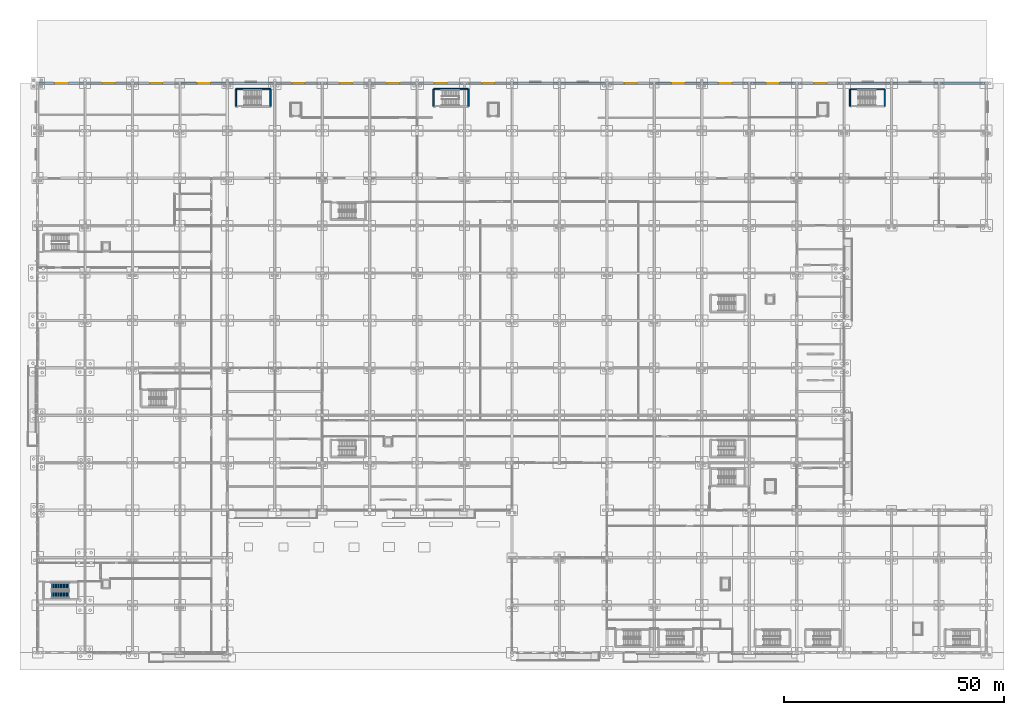
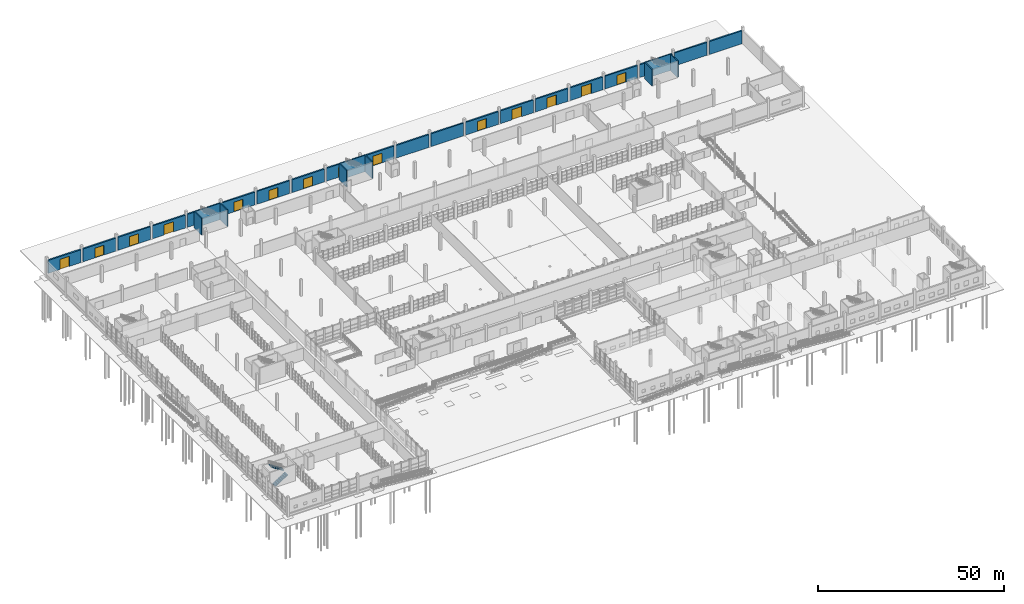
# One storey, part 116 of 138: 29 walls, 14 doors, 2 stair flights, 14 openings, 1 element without a shape of its own.
"""IFC4 building model written with IfcOpenShell, lengths in metres."""

import ifcopenshell
import ifcopenshell.guid

model = None  # the IFC model being written
_history = None  # IfcOwnerHistory: only IFC2X3 demands one
_inside = {}  # id of a spatial element -> (the spatial element, [elements in it])
_under = {}  # id of a project, library or spatial element -> (it, [spatial elements below it])
_declared = {}  # id of a project -> (the project, [libraries it declares])
_typed = {}  # id of a type object -> (the type object, [elements of that type])
_made_of = {}  # id of a material, layer set ... -> (it, [elements and type objects made of it])


def new_model(schema):
    """Start an empty IFC model of exactly this schema.

    Asked for "IFC4X3", IfcOpenShell would pick the latest addendum, in which some entities
    have other attributes; the version numbers below select the first issue.
    IFC2X3 requires an IfcOwnerHistory on every rooted entity: one is made here for all.
    """
    global model, _history
    if schema == "IFC4X3":
        model = ifcopenshell.file(schema_version=(4, 3, 0, 0))
    else:
        model = ifcopenshell.file(schema=schema)
    _inside.clear()
    _under.clear()
    _declared.clear()
    _typed.clear()
    _made_of.clear()
    _history = None
    if model.schema == "IFC2X3":
        org = make("IfcOrganization", Name="unknown")
        user = make(
            "IfcPersonAndOrganization",
            ThePerson=make("IfcPerson", FamilyName="unknown"),
            TheOrganization=org,
        )
        app = make(
            "IfcApplication",
            ApplicationDeveloper=org,
            Version="unknown",
            ApplicationFullName="unknown",
            ApplicationIdentifier="unknown",
        )
        _history = make(
            "IfcOwnerHistory",
            OwningUser=user,
            OwningApplication=app,
            ChangeAction="ADDED",
            CreationDate=0,
        )
    return model


def make(cls, **values):
    """One entity of the class cls with the attributes given. An attribute that is None is left unset."""
    return model.create_entity(
        cls, **{name: value for name, value in values.items() if value is not None}
    )


def rooted(cls, **values):
    """An entity with a GlobalId (a new one), such as an element, a storey or a relation."""
    return make(cls, GlobalId=ifcopenshell.guid.new(), OwnerHistory=_history, **values)


def si_unit(unit_type, name, prefix=None):
    """IfcSIUnit, for example si_unit("LENGTHUNIT", "METRE", prefix="MILLI")."""
    return make("IfcSIUnit", UnitType=unit_type, Prefix=prefix, Name=name)


def assignment(units):
    """IfcUnitAssignment: the units of a project."""
    return None if units is None else make("IfcUnitAssignment", Units=units)


def point(xyz):
    """IfcCartesianPoint."""
    return None if xyz is None else make("IfcCartesianPoint", Coordinates=xyz)


def direction(xyz):
    """IfcDirection."""
    return None if xyz is None else make("IfcDirection", DirectionRatios=xyz)


def frame(location, z_axis=None, x_axis=None):
    """IfcAxis2Placement3D, a coordinate frame: its origin and axes. An axis left out is left unset."""
    return make(
        "IfcAxis2Placement3D",
        Location=point(location),
        Axis=direction(z_axis),
        RefDirection=direction(x_axis),
    )


def frame_2d(location, x_axis=None):
    """IfcAxis2Placement2D, a coordinate frame in the plane: its origin and x axis."""
    return make(
        "IfcAxis2Placement2D", Location=point(location), RefDirection=direction(x_axis)
    )


def origin():
    """The frame at (0, 0, 0) with its axes left unset."""
    return frame((0.0, 0.0, 0.0))


def place(relative_to, where):
    """IfcLocalPlacement: puts the frame where relative to a parent placement (None: the world)."""
    return make(
        "IfcLocalPlacement", PlacementRelTo=relative_to, RelativePlacement=where
    )


def context(
    kind, dimensions, precision=None, world=None, true_north=None, identifier=None
):
    """IfcGeometricRepresentationContext, for example the 3D "Model" context."""
    return make(
        "IfcGeometricRepresentationContext",
        ContextIdentifier=identifier,
        ContextType=kind,
        CoordinateSpaceDimension=dimensions,
        Precision=precision,
        WorldCoordinateSystem=world,
        TrueNorth=true_north,
    )


def subcontext(parent, identifier, kind, view, scale=None):
    """IfcGeometricRepresentationSubContext, for example "Body" below "Model"."""
    return make(
        "IfcGeometricRepresentationSubContext",
        ContextIdentifier=identifier,
        ContextType=kind,
        ParentContext=parent,
        TargetScale=scale,
        TargetView=view,
    )


def project(units=None, contexts=None):
    """IfcProject with its units and contexts."""
    return rooted(
        "IfcProject",
        Name="project",
        RepresentationContexts=contexts,
        UnitsInContext=assignment(units),
    )


def spatial(cls, under=None, at=None, **own):
    """A site, building, storey or space (cls), placed at a placement, below another one or the project."""
    s = rooted(cls, ObjectPlacement=at, **own)
    if under is not None:
        _under.setdefault(under.id(), (under, []))[1].append(s)
    return s


def polyline(points):
    """IfcPolyline through the points."""
    return make("IfcPolyline", Points=[point(p) for p in points])


def profile(cls, at=None, kind="AREA", **sizes):
    """A parametric profile (cls). Its sizes go by their IFC names, for example OverallWidth=200.0."""
    return make(cls, ProfileType=kind, Position=at, **sizes)


def rectangle(**sizes):
    """IfcRectangleProfileDef."""
    return profile("IfcRectangleProfileDef", **sizes)


def outline(outer, holes=None, kind="AREA"):
    """IfcArbitraryClosedProfileDef: a profile drawn as a closed curve; with holes, ...WithVoids."""
    if holes is None:
        return make("IfcArbitraryClosedProfileDef", ProfileType=kind, OuterCurve=outer)
    return make(
        "IfcArbitraryProfileDefWithVoids",
        ProfileType=kind,
        OuterCurve=outer,
        InnerCurves=holes,
    )


def extrude(swept, where, along, depth):
    """IfcExtrudedAreaSolid: the profile swept, set in the frame where, extruded along a direction by depth."""
    return make(
        "IfcExtrudedAreaSolid",
        SweptArea=swept,
        Position=where,
        ExtrudedDirection=direction(along),
        Depth=depth,
    )


def shape(context_of_items, identifier, shape_type, items):
    """IfcShapeRepresentation: the items that make up one representation, for example the "Body"."""
    return make(
        "IfcShapeRepresentation",
        ContextOfItems=context_of_items,
        RepresentationIdentifier=identifier,
        RepresentationType=shape_type,
        Items=items,
    )


def material(Name=None, Category=None):
    """IfcMaterial."""
    return make("IfcMaterial", Name=Name, Category=Category)


def layer(
    of_material, thickness, ventilated=None, Name=None, Category=None, Priority=None
):
    """IfcMaterialLayer: one layer of a wall or slab, of a material (None: an air gap)."""
    return make(
        "IfcMaterialLayer",
        Material=of_material,
        LayerThickness=thickness,
        IsVentilated=ventilated,
        Name=Name,
        Category=Category,
        Priority=Priority,
    )


def layer_set(layers, Name=None):
    """IfcMaterialLayerSet."""
    return make("IfcMaterialLayerSet", MaterialLayers=layers, LayerSetName=Name)


def made_of(thing, what):
    """Note that an element or type object is made of a material, layer set ...; save() writes the relation."""
    if what is not None:
        _made_of.setdefault(what.id(), (what, []))[1].append(thing)
    return thing


def type_object(cls, material=None, **own):
    """A type object (cls), such as IfcWallType, which elements share."""
    return made_of(rooted(cls, **own), material)


def element(
    cls,
    number,
    at=None,
    inside=None,
    cuts=None,
    type_object=None,
    material=None,
    context=None,
    identifier="Body",
    shape_type=None,
    held_by="IfcProductDefinitionShape",
    body=None,
    shapes=None,
    **own,
):
    """One element of the class cls, such as IfcWall. Its Tag is "e" and its number.

    at: its placement. inside: the storey or other place that contains it. cuts: it is an
    opening in that element (IfcRelVoidsElement). A single representation is given by context,
    identifier, shape_type and body (its items); several are given by shapes. held_by: the class
    of the entity that holds the representations. save() writes the other relations.
    """
    e = rooted(cls, Tag="e%d" % number, ObjectPlacement=at, **own)
    if body is not None:
        shapes = [shape(context, identifier, shape_type, body)]
    if shapes is not None:
        e.Representation = make(held_by, Representations=shapes)
    if inside is not None:
        _inside.setdefault(inside.id(), (inside, []))[1].append(e)
    if cuts is not None:
        rooted(
            "IfcRelVoidsElement", RelatingBuildingElement=cuts, RelatedOpeningElement=e
        )
    if type_object is not None:
        _typed.setdefault(type_object.id(), (type_object, []))[1].append(e)
    return made_of(e, material)


def fill(opening, filler):
    """IfcRelFillsElement: the door or window that sits in an opening."""
    return rooted(
        "IfcRelFillsElement",
        RelatingOpeningElement=opening,
        RelatedBuildingElement=filler,
    )


def aggregate(whole, parts):
    """IfcRelAggregates: a whole, such as a stair, and the parts it consists of."""
    return rooted("IfcRelAggregates", RelatingObject=whole, RelatedObjects=parts)


def save(model, path):
    """Write the relations noted so far, then the file.

    IfcRelAggregates (storeys below a building ...), IfcRelContainedInSpatialStructure (elements
    in a storey), IfcRelDefinesByType, IfcRelAssociatesMaterial and IfcRelDeclares: one each for
    every whole, place, type object, material and project.
    """
    for whole, parts in _under.values():
        aggregate(whole, parts)
    for where, things in _inside.values():
        rooted(
            "IfcRelContainedInSpatialStructure",
            RelatedElements=things,
            RelatingStructure=where,
        )
    for kind, things in _typed.values():
        rooted("IfcRelDefinesByType", RelatedObjects=things, RelatingType=kind)
    for what, things in _made_of.values():
        rooted("IfcRelAssociatesMaterial", RelatedObjects=things, RelatingMaterial=what)
    for by, libraries in _declared.values():
        rooted("IfcRelDeclares", RelatingContext=by, RelatedDefinitions=libraries)
    model.write(path)


model = new_model("IFC4")

# Units and contexts
model_context = context("Model", 3, precision=1e-05, world=origin(), true_north=direction((0.0, 1.0)))
body_context = subcontext(model_context, "Body", "Model", "MODEL_VIEW")
ifc_project = project(units=[si_unit("LENGTHUNIT", "METRE"), si_unit("AREAUNIT", "SQUARE_METRE"), si_unit("VOLUMEUNIT", "CUBIC_METRE"), si_unit("PLANEANGLEUNIT", "RADIAN"), si_unit("MASSUNIT", "GRAM", prefix="KILO")], contexts=[model_context])

# Site, building, storey
site_placement = place(None, origin())
site = spatial("IfcSite", under=ifc_project, at=site_placement, CompositionType="ELEMENT")
building_placement = place(site_placement, origin())
building = spatial("IfcBuilding", under=site, at=building_placement, Name="Zwinboog Wholesale Market", CompositionType="ELEMENT")
storey_placement = place(building_placement, origin())
storey = spatial("IfcBuildingStorey", under=building, at=storey_placement, Name="L00", CompositionType="ELEMENT", Elevation=0.0)

# Wall, opening, door
ifc_material_1 = material(Name="Precast concrete C45/55", Category="concrete")
ifc_layer_1 = layer(ifc_material_1, 0.455078125)
ifc_layer_set_1 = layer_set([ifc_layer_1], Name="Precast concrete C45/55")
wall_type_1 = type_object("IfcWallType", Name="WT-EW-455", PredefinedType="STANDARD", material=ifc_layer_set_1)
wall_1_placement = place(storey_placement, frame((11.1201171875, 129.60009765625, 0.0), z_axis=(0.0, 0.0, 1.0), x_axis=(1.0, 0.0, 0.0)))
wall_1 = element("IfcWall", 1, at=wall_1_placement, inside=storey, type_object=wall_type_1, Name="EW-05 (WL-EW-L00-016)", PredefinedType="STANDARD", context=body_context, shape_type="SweptSolid", body=[
    extrude(rectangle(XDim=10.159912109375, YDim=0.455078125, at=frame_2d((5.080078125, 0.0))), origin(), (0.0, 0.0, 1.0), 4.25),
])
opening_1_placement = place(wall_1_placement, frame((3.679931640625, 0.0, 0.0)))
opening_1 = element("IfcOpeningElement", 2, at=opening_1_placement, cuts=wall_1, Name="Opening DK-02", PredefinedType="OPENING", context=body_context, shape_type="SweptSolid", body=[
    extrude(rectangle(XDim=2.800048828125, YDim=3.199951171875, at=frame_2d((1.39990234375, 1.60009765625))), frame((0.0, 0.237548828125, 0.0), z_axis=(0.0, -1.0, 0.0), x_axis=(1.0, 0.0, 0.0)), (0.0, 0.0, 1.0), 0.47509765625),
])
ifc_material_2 = material(Name="Insulated powder-coated steel and aluminium door", Category="steel")
door_type_1 = type_object("IfcDoorType", Name="EDT-DK-280", OperationType="ROLLINGUP", PredefinedType="USERDEFINED", material=ifc_material_2)
door_1_placement = place(opening_1_placement, origin())
door_1 = element("IfcDoor", 3, at=door_1_placement, inside=storey, type_object=door_type_1, Name="Loading Dock Door DK-02", ObjectType="SECTIONAL_SHUTTER", OperationType="ROLLINGUP", OverallHeight=3.199951171875, OverallWidth=2.800048828125, PredefinedType="USERDEFINED", context=body_context, shape_type="SweptSolid", body=[
    extrude(rectangle(XDim=2.800048828125, YDim=3.199951171875, at=frame_2d((1.39990234375, 1.60009765625))), frame((0.0, 0.02490234375, 0.0), z_axis=(0.0, -1.0, 0.0), x_axis=(1.0, 0.0, 0.0)), (0.0, 0.0, 1.0), 0.050048828125),
])
fill(opening_1, door_1)

wall_2_placement = place(storey_placement, frame((21.919921875, 129.60009765625, 0.0), z_axis=(0.0, 0.0, 1.0), x_axis=(1.0, 0.0, 0.0)))
wall_2 = element("IfcWall", 4, at=wall_2_placement, inside=storey, type_object=wall_type_1, Name="EW-05 (WL-EW-L00-018)", PredefinedType="STANDARD", context=body_context, shape_type="SweptSolid", body=[
    extrude(rectangle(XDim=10.16015625, YDim=0.455078125, at=frame_2d((5.080078125, 0.0))), origin(), (0.0, 0.0, 1.0), 4.25),
])
opening_2_placement = place(wall_2_placement, frame((3.679931640625, 0.0, 0.0)))
opening_2 = element("IfcOpeningElement", 5, at=opening_2_placement, cuts=wall_2, Name="Opening DK-03", PredefinedType="OPENING", context=body_context, shape_type="SweptSolid", body=[
    extrude(rectangle(XDim=2.800048828125, YDim=3.199951171875, at=frame_2d((1.39990234375, 1.60009765625))), frame((0.0, 0.237548828125, 0.0), z_axis=(0.0, -1.0, 0.0), x_axis=(1.0, 0.0, 0.0)), (0.0, 0.0, 1.0), 0.47509765625),
])
door_2_placement = place(opening_2_placement, origin())
door_2 = element("IfcDoor", 6, at=door_2_placement, inside=storey, type_object=door_type_1, Name="Loading Dock Door DK-03", ObjectType="SECTIONAL_SHUTTER", OperationType="ROLLINGUP", OverallHeight=3.199951171875, OverallWidth=2.800048828125, PredefinedType="USERDEFINED", context=body_context, shape_type="SweptSolid", body=[
    extrude(rectangle(XDim=2.800048828125, YDim=3.199951171875, at=frame_2d((1.39990234375, 1.60009765625))), frame((0.0, 0.02490234375, 0.0), z_axis=(0.0, -1.0, 0.0), x_axis=(1.0, 0.0, 0.0)), (0.0, 0.0, 1.0), 0.050048828125),
])
fill(opening_2, door_2)

wall_3_placement = place(storey_placement, frame((32.719970703125, 129.60009765625, 0.0), z_axis=(0.0, 0.0, 1.0), x_axis=(1.0, 0.0, 0.0)))
wall_3 = element("IfcWall", 7, at=wall_3_placement, inside=storey, type_object=wall_type_1, Name="EW-05 (WL-EW-L00-026)", PredefinedType="STANDARD", context=body_context, shape_type="SweptSolid", body=[
    extrude(rectangle(XDim=10.159912109375, YDim=0.455078125, at=frame_2d((5.080078125, 0.0))), origin(), (0.0, 0.0, 1.0), 4.25),
])
opening_3_placement = place(wall_3_placement, frame((3.60009765625, 0.0, 0.0)))
opening_3 = element("IfcOpeningElement", 8, at=opening_3_placement, cuts=wall_3, Name="Opening DK-04", PredefinedType="OPENING", context=body_context, shape_type="SweptSolid", body=[
    extrude(rectangle(XDim=2.9599609375, YDim=3.35009765625, at=frame_2d((1.47998046875, 1.675048828125))), frame((0.0, 0.237548828125, 0.0), z_axis=(0.0, -1.0, 0.0), x_axis=(1.0, 0.0, 0.0)), (0.0, 0.0, 1.0), 0.47509765625),
])
door_type_2 = type_object("IfcDoorType", Name="EDT-DK-296", OperationType="ROLLINGUP", PredefinedType="USERDEFINED", material=ifc_material_2)
door_3_placement = place(opening_3_placement, origin())
door_3 = element("IfcDoor", 9, at=door_3_placement, inside=storey, type_object=door_type_2, Name="Loading Dock Door DK-04", ObjectType="SECTIONAL_SHUTTER", OperationType="ROLLINGUP", OverallHeight=3.35009765625, OverallWidth=2.9599609375, PredefinedType="USERDEFINED", context=body_context, shape_type="SweptSolid", body=[
    extrude(rectangle(XDim=2.9599609375, YDim=3.35009765625, at=frame_2d((1.47998046875, 1.675048828125))), frame((0.0, 0.02490234375, 0.0), z_axis=(0.0, -1.0, 0.0), x_axis=(1.0, 0.0, 0.0)), (0.0, 0.0, 1.0), 0.050048828125),
])
fill(opening_3, door_3)

# Wall
wall_4_placement = place(storey_placement, frame((43.52001953125, 129.60009765625, 0.0), z_axis=(0.0, 0.0, 1.0), x_axis=(1.0, 0.0, 0.0)))
element("IfcWall", 10, at=wall_4_placement, inside=storey, type_object=wall_type_1, Name="EW-05 (WL-EW-L00-028)", PredefinedType="STANDARD", context=body_context, shape_type="SweptSolid", body=[
    extrude(rectangle(XDim=10.159912109375, YDim=0.455078125, at=frame_2d((5.080078125, 0.0))), origin(), (0.0, 0.0, 1.0), 4.25),
])

# Wall, opening, door
wall_5_placement = place(storey_placement, frame((54.320068359375, 129.60009765625, 0.0), z_axis=(0.0, 0.0, 1.0), x_axis=(1.0, 0.0, 0.0)))
wall_5 = element("IfcWall", 11, at=wall_5_placement, inside=storey, type_object=wall_type_1, Name="EW-05 (WL-EW-L00-030)", PredefinedType="STANDARD", context=body_context, shape_type="SweptSolid", body=[
    extrude(rectangle(XDim=10.159912109375, YDim=0.455078125, at=frame_2d((5.080078125, 0.0))), origin(), (0.0, 0.0, 1.0), 4.25),
])
opening_4_placement = place(wall_5_placement, frame((3.679931640625, 0.0, 0.0)))
opening_4 = element("IfcOpeningElement", 12, at=opening_4_placement, cuts=wall_5, Name="Opening DK-05", PredefinedType="OPENING", context=body_context, shape_type="SweptSolid", body=[
    extrude(rectangle(XDim=2.800048828125, YDim=3.199951171875, at=frame_2d((1.39990234375, 1.60009765625))), frame((0.0, 0.237548828125, 0.0), z_axis=(0.0, -1.0, 0.0), x_axis=(1.0, 0.0, 0.0)), (0.0, 0.0, 1.0), 0.47509765625),
])
door_4_placement = place(opening_4_placement, origin())
door_4 = element("IfcDoor", 13, at=door_4_placement, inside=storey, type_object=door_type_1, Name="Loading Dock Door DK-05", ObjectType="SECTIONAL_SHUTTER", OperationType="ROLLINGUP", OverallHeight=3.199951171875, OverallWidth=2.800048828125, PredefinedType="USERDEFINED", context=body_context, shape_type="SweptSolid", body=[
    extrude(rectangle(XDim=2.800048828125, YDim=3.199951171875, at=frame_2d((1.39990234375, 1.60009765625))), frame((0.0, 0.02490234375, 0.0), z_axis=(0.0, -1.0, 0.0), x_axis=(1.0, 0.0, 0.0)), (0.0, 0.0, 1.0), 0.050048828125),
])
fill(opening_4, door_4)

wall_6_placement = place(storey_placement, frame((65.1201171875, 129.60009765625, 0.0), z_axis=(0.0, 0.0, 1.0), x_axis=(1.0, 0.0, 0.0)))
wall_6 = element("IfcWall", 14, at=wall_6_placement, inside=storey, type_object=wall_type_1, Name="EW-05 (WL-EW-L00-034)", PredefinedType="STANDARD", context=body_context, shape_type="SweptSolid", body=[
    extrude(rectangle(XDim=10.159912109375, YDim=0.455078125, at=frame_2d((5.080078125, 0.0))), origin(), (0.0, 0.0, 1.0), 4.22509765625),
])
opening_5_placement = place(wall_6_placement, frame((3.679931640625, 0.0, 0.0)))
opening_5 = element("IfcOpeningElement", 15, at=opening_5_placement, cuts=wall_6, Name="Opening DK-06", PredefinedType="OPENING", context=body_context, shape_type="SweptSolid", body=[
    extrude(rectangle(XDim=2.800048828125, YDim=3.199951171875, at=frame_2d((1.39990234375, 1.60009765625))), frame((0.0, 0.237548828125, 0.0), z_axis=(0.0, -1.0, 0.0), x_axis=(1.0, 0.0, 0.0)), (0.0, 0.0, 1.0), 0.47509765625),
])
door_5_placement = place(opening_5_placement, origin())
door_5 = element("IfcDoor", 16, at=door_5_placement, inside=storey, type_object=door_type_1, Name="Loading Dock Door DK-06", ObjectType="SECTIONAL_SHUTTER", OperationType="ROLLINGUP", OverallHeight=3.199951171875, OverallWidth=2.800048828125, PredefinedType="USERDEFINED", context=body_context, shape_type="SweptSolid", body=[
    extrude(rectangle(XDim=2.800048828125, YDim=3.199951171875, at=frame_2d((1.39990234375, 1.60009765625))), frame((0.0, 0.02490234375, 0.0), z_axis=(0.0, -1.0, 0.0), x_axis=(1.0, 0.0, 0.0)), (0.0, 0.0, 1.0), 0.050048828125),
])
fill(opening_5, door_5)

wall_7_placement = place(storey_placement, frame((75.919921875, 129.60009765625, 0.0), z_axis=(0.0, 0.0, 1.0), x_axis=(1.0, 0.0, 0.0)))
wall_7 = element("IfcWall", 17, at=wall_7_placement, inside=storey, type_object=wall_type_1, Name="EW-05 (WL-EW-L00-036)", PredefinedType="STANDARD", context=body_context, shape_type="SweptSolid", body=[
    extrude(rectangle(XDim=10.16015625, YDim=0.455078125, at=frame_2d((5.080078125, 0.0))), origin(), (0.0, 0.0, 1.0), 4.22509765625),
])
opening_6_placement = place(wall_7_placement, frame((3.679931640625, 0.0, 0.0)))
opening_6 = element("IfcOpeningElement", 18, at=opening_6_placement, cuts=wall_7, Name="Opening DK-07", PredefinedType="OPENING", context=body_context, shape_type="SweptSolid", body=[
    extrude(rectangle(XDim=2.800048828125, YDim=3.199951171875, at=frame_2d((1.39990234375, 1.60009765625))), frame((0.0, 0.237548828125, 0.0), z_axis=(0.0, -1.0, 0.0), x_axis=(1.0, 0.0, 0.0)), (0.0, 0.0, 1.0), 0.47509765625),
])
door_6_placement = place(opening_6_placement, origin())
door_6 = element("IfcDoor", 19, at=door_6_placement, inside=storey, type_object=door_type_1, Name="Loading Dock Door DK-07", ObjectType="SECTIONAL_SHUTTER", OperationType="ROLLINGUP", OverallHeight=3.199951171875, OverallWidth=2.800048828125, PredefinedType="USERDEFINED", context=body_context, shape_type="SweptSolid", body=[
    extrude(rectangle(XDim=2.800048828125, YDim=3.199951171875, at=frame_2d((1.39990234375, 1.60009765625))), frame((0.0, 0.02490234375, 0.0), z_axis=(0.0, -1.0, 0.0), x_axis=(1.0, 0.0, 0.0)), (0.0, 0.0, 1.0), 0.050048828125),
])
fill(opening_6, door_6)

wall_8_placement = place(storey_placement, frame((86.719970703125, 129.60009765625, 0.0), z_axis=(0.0, 0.0, 1.0), x_axis=(1.0, 0.0, 0.0)))
wall_8 = element("IfcWall", 20, at=wall_8_placement, inside=storey, type_object=wall_type_1, Name="EW-05 (WL-EW-L00-038)", PredefinedType="STANDARD", context=body_context, shape_type="SweptSolid", body=[
    extrude(rectangle(XDim=10.159912109375, YDim=0.455078125, at=frame_2d((5.080078125, 0.0))), origin(), (0.0, 0.0, 1.0), 4.22509765625),
])
opening_7_placement = place(wall_8_placement, frame((3.679931640625, 0.0, 0.0)))
opening_7 = element("IfcOpeningElement", 21, at=opening_7_placement, cuts=wall_8, Name="Opening DK-08", PredefinedType="OPENING", context=body_context, shape_type="SweptSolid", body=[
    extrude(rectangle(XDim=2.800048828125, YDim=3.199951171875, at=frame_2d((1.39990234375, 1.60009765625))), frame((0.0, 0.237548828125, 0.0), z_axis=(0.0, -1.0, 0.0), x_axis=(1.0, 0.0, 0.0)), (0.0, 0.0, 1.0), 0.47509765625),
])
door_7_placement = place(opening_7_placement, origin())
door_7 = element("IfcDoor", 22, at=door_7_placement, inside=storey, type_object=door_type_1, Name="Loading Dock Door DK-08", ObjectType="SECTIONAL_SHUTTER", OperationType="ROLLINGUP", OverallHeight=3.199951171875, OverallWidth=2.800048828125, PredefinedType="USERDEFINED", context=body_context, shape_type="SweptSolid", body=[
    extrude(rectangle(XDim=2.800048828125, YDim=3.199951171875, at=frame_2d((1.39990234375, 1.60009765625))), frame((0.0, 0.02490234375, 0.0), z_axis=(0.0, -1.0, 0.0), x_axis=(1.0, 0.0, 0.0)), (0.0, 0.0, 1.0), 0.050048828125),
])
fill(opening_7, door_7)

wall_9_placement = place(storey_placement, frame((97.52001953125, 129.60009765625, 0.0), z_axis=(0.0, 0.0, 1.0), x_axis=(1.0, 0.0, 0.0)))
wall_9 = element("IfcWall", 23, at=wall_9_placement, inside=storey, type_object=wall_type_1, Name="EW-05 (WL-EW-L00-040)", PredefinedType="STANDARD", context=body_context, shape_type="SweptSolid", body=[
    extrude(rectangle(XDim=10.159912109375, YDim=0.455078125, at=frame_2d((5.080078125, 0.0))), origin(), (0.0, 0.0, 1.0), 4.22509765625),
])
opening_8_placement = place(wall_9_placement, frame((3.679931640625, 0.0, 0.0)))
opening_8 = element("IfcOpeningElement", 24, at=opening_8_placement, cuts=wall_9, Name="Opening DK-09", PredefinedType="OPENING", context=body_context, shape_type="SweptSolid", body=[
    extrude(rectangle(XDim=2.800048828125, YDim=3.199951171875, at=frame_2d((1.39990234375, 1.60009765625))), frame((0.0, 0.237548828125, 0.0), z_axis=(0.0, -1.0, 0.0), x_axis=(1.0, 0.0, 0.0)), (0.0, 0.0, 1.0), 0.47509765625),
])
door_8_placement = place(opening_8_placement, origin())
door_8 = element("IfcDoor", 25, at=door_8_placement, inside=storey, type_object=door_type_1, Name="Loading Dock Door DK-09", ObjectType="SECTIONAL_SHUTTER", OperationType="ROLLINGUP", OverallHeight=3.199951171875, OverallWidth=2.800048828125, PredefinedType="USERDEFINED", context=body_context, shape_type="SweptSolid", body=[
    extrude(rectangle(XDim=2.800048828125, YDim=3.199951171875, at=frame_2d((1.39990234375, 1.60009765625))), frame((0.0, 0.02490234375, 0.0), z_axis=(0.0, -1.0, 0.0), x_axis=(1.0, 0.0, 0.0)), (0.0, 0.0, 1.0), 0.050048828125),
])
fill(opening_8, door_8)

# Walls
for number, where, z_axis, x_axis, name in (
    (26, (108.320068359375, 129.60009765625, 0.0), (0.0, 0.0, 1.0), (1.0, 0.0, 0.0), "EW-05 (WL-EW-L00-046)"),
    (27, (119.1201171875, 129.60009765625, 0.0), (0.0, 0.0, 1.0), (1.0, 0.0, 0.0), "EW-05 (WL-EW-L00-050)"),
):
    element("IfcWall", number, at=place(storey_placement, frame(where, z_axis=z_axis, x_axis=x_axis)), inside=storey, type_object=wall_type_1, Name=name, PredefinedType="STANDARD", context=body_context, shape_type="SweptSolid", body=[
        extrude(rectangle(XDim=10.159912109375, YDim=0.455078125, at=frame_2d((5.080078125, 0.0))), origin(), (0.0, 0.0, 1.0), 4.197998046875),
    ])

# Wall, opening, door
wall_10_placement = place(storey_placement, frame((129.919921875, 129.60009765625, 0.0), z_axis=(0.0, 0.0, 1.0), x_axis=(1.0, 0.0, 0.0)))
wall_10 = element("IfcWall", 28, at=wall_10_placement, inside=storey, type_object=wall_type_1, Name="EW-05 (WL-EW-L00-054)", PredefinedType="STANDARD", context=body_context, shape_type="SweptSolid", body=[
    extrude(rectangle(XDim=10.16015625, YDim=0.455078125, at=frame_2d((5.080078125, 0.0))), origin(), (0.0, 0.0, 1.0), 4.197998046875),
])
opening_9_placement = place(wall_10_placement, frame((3.679931640625, 0.0, 0.0)))
opening_9 = element("IfcOpeningElement", 29, at=opening_9_placement, cuts=wall_10, Name="Opening DK-10", PredefinedType="OPENING", context=body_context, shape_type="SweptSolid", body=[
    extrude(rectangle(XDim=2.800048828125, YDim=3.199951171875, at=frame_2d((1.39990234375, 1.60009765625))), frame((0.0, 0.237548828125, 0.0), z_axis=(0.0, -1.0, 0.0), x_axis=(1.0, 0.0, 0.0)), (0.0, 0.0, 1.0), 0.47509765625),
])
door_9_placement = place(opening_9_placement, origin())
door_9 = element("IfcDoor", 30, at=door_9_placement, inside=storey, type_object=door_type_1, Name="Loading Dock Door DK-10", ObjectType="SECTIONAL_SHUTTER", OperationType="ROLLINGUP", OverallHeight=3.199951171875, OverallWidth=2.800048828125, PredefinedType="USERDEFINED", context=body_context, shape_type="SweptSolid", body=[
    extrude(rectangle(XDim=2.800048828125, YDim=3.199951171875, at=frame_2d((1.39990234375, 1.60009765625))), frame((0.0, 0.02490234375, 0.0), z_axis=(0.0, -1.0, 0.0), x_axis=(1.0, 0.0, 0.0)), (0.0, 0.0, 1.0), 0.050048828125),
])
fill(opening_9, door_9)

wall_11_placement = place(storey_placement, frame((140.719970703125, 129.60009765625, 0.0), z_axis=(0.0, 0.0, 1.0), x_axis=(1.0, 0.0, 0.0)))
wall_11 = element("IfcWall", 31, at=wall_11_placement, inside=storey, type_object=wall_type_1, Name="EW-05 (WL-EW-L00-056)", PredefinedType="STANDARD", context=body_context, shape_type="SweptSolid", body=[
    extrude(rectangle(XDim=10.159912109375, YDim=0.455078125, at=frame_2d((5.080078125, 0.0))), origin(), (0.0, 0.0, 1.0), 4.197998046875),
])
opening_10_placement = place(wall_11_placement, frame((3.60009765625, 0.0, 0.0)))
opening_10 = element("IfcOpeningElement", 32, at=opening_10_placement, cuts=wall_11, Name="Opening DK-11", PredefinedType="OPENING", context=body_context, shape_type="SweptSolid", body=[
    extrude(rectangle(XDim=2.9599609375, YDim=3.35009765625, at=frame_2d((1.47998046875, 1.675048828125))), frame((0.0, 0.237548828125, 0.0), z_axis=(0.0, -1.0, 0.0), x_axis=(1.0, 0.0, 0.0)), (0.0, 0.0, 1.0), 0.47509765625),
])
door_10_placement = place(opening_10_placement, origin())
door_10 = element("IfcDoor", 33, at=door_10_placement, inside=storey, type_object=door_type_2, Name="Loading Dock Door DK-11", ObjectType="SECTIONAL_SHUTTER", OperationType="ROLLINGUP", OverallHeight=3.35009765625, OverallWidth=2.9599609375, PredefinedType="USERDEFINED", context=body_context, shape_type="SweptSolid", body=[
    extrude(rectangle(XDim=2.9599609375, YDim=3.35009765625, at=frame_2d((1.47998046875, 1.675048828125))), frame((0.0, 0.02490234375, 0.0), z_axis=(0.0, -1.0, 0.0), x_axis=(1.0, 0.0, 0.0)), (0.0, 0.0, 1.0), 0.050048828125),
])
fill(opening_10, door_10)

wall_12_placement = place(storey_placement, frame((151.52001953125, 129.60009765625, 0.0), z_axis=(0.0, 0.0, 1.0), x_axis=(1.0, 0.0, 0.0)))
wall_12 = element("IfcWall", 34, at=wall_12_placement, inside=storey, type_object=wall_type_1, Name="EW-05 (WL-EW-L00-058)", PredefinedType="STANDARD", context=body_context, shape_type="SweptSolid", body=[
    extrude(rectangle(XDim=10.159912109375, YDim=0.455078125, at=frame_2d((5.080078125, 0.0))), origin(), (0.0, 0.0, 1.0), 4.197998046875),
])
opening_11_placement = place(wall_12_placement, frame((3.60009765625, 0.0, 0.0)))
opening_11 = element("IfcOpeningElement", 35, at=opening_11_placement, cuts=wall_12, Name="Opening DK-12", PredefinedType="OPENING", context=body_context, shape_type="SweptSolid", body=[
    extrude(rectangle(XDim=2.9599609375, YDim=3.35009765625, at=frame_2d((1.47998046875, 1.675048828125))), frame((0.0, 0.237548828125, 0.0), z_axis=(0.0, -1.0, 0.0), x_axis=(1.0, 0.0, 0.0)), (0.0, 0.0, 1.0), 0.47509765625),
])
door_11_placement = place(opening_11_placement, origin())
door_11 = element("IfcDoor", 36, at=door_11_placement, inside=storey, type_object=door_type_2, Name="Loading Dock Door DK-12", ObjectType="SECTIONAL_SHUTTER", OperationType="ROLLINGUP", OverallHeight=3.35009765625, OverallWidth=2.9599609375, PredefinedType="USERDEFINED", context=body_context, shape_type="SweptSolid", body=[
    extrude(rectangle(XDim=2.9599609375, YDim=3.35009765625, at=frame_2d((1.47998046875, 1.675048828125))), frame((0.0, 0.02490234375, 0.0), z_axis=(0.0, -1.0, 0.0), x_axis=(1.0, 0.0, 0.0)), (0.0, 0.0, 1.0), 0.050048828125),
])
fill(opening_11, door_11)

wall_13_placement = place(storey_placement, frame((162.320068359375, 129.60009765625, 0.0), z_axis=(0.0, 0.0, 1.0), x_axis=(1.0, 0.0, 0.0)))
wall_13 = element("IfcWall", 37, at=wall_13_placement, inside=storey, type_object=wall_type_1, Name="EW-05 (WL-EW-L00-066)", PredefinedType="STANDARD", context=body_context, shape_type="SweptSolid", body=[
    extrude(rectangle(XDim=10.159912109375, YDim=0.455078125, at=frame_2d((5.080078125, 0.0))), origin(), (0.0, 0.0, 1.0), 4.197998046875),
])
opening_12_placement = place(wall_13_placement, frame((3.60009765625, 0.0, 0.0)))
opening_12 = element("IfcOpeningElement", 38, at=opening_12_placement, cuts=wall_13, Name="Opening DK-13", PredefinedType="OPENING", context=body_context, shape_type="SweptSolid", body=[
    extrude(rectangle(XDim=2.9599609375, YDim=3.35009765625, at=frame_2d((1.47998046875, 1.675048828125))), frame((0.0, 0.237548828125, 0.0), z_axis=(0.0, -1.0, 0.0), x_axis=(1.0, 0.0, 0.0)), (0.0, 0.0, 1.0), 0.47509765625),
])
door_12_placement = place(opening_12_placement, origin())
door_12 = element("IfcDoor", 39, at=door_12_placement, inside=storey, type_object=door_type_2, Name="Loading Dock Door DK-13", ObjectType="SECTIONAL_SHUTTER", OperationType="ROLLINGUP", OverallHeight=3.35009765625, OverallWidth=2.9599609375, PredefinedType="USERDEFINED", context=body_context, shape_type="SweptSolid", body=[
    extrude(rectangle(XDim=2.9599609375, YDim=3.35009765625, at=frame_2d((1.47998046875, 1.675048828125))), frame((0.0, 0.02490234375, 0.0), z_axis=(0.0, -1.0, 0.0), x_axis=(1.0, 0.0, 0.0)), (0.0, 0.0, 1.0), 0.050048828125),
])
fill(opening_12, door_12)

wall_14_placement = place(storey_placement, frame((173.1201171875, 129.60009765625, 0.0), z_axis=(0.0, 0.0, 1.0), x_axis=(1.0, 0.0, 0.0)))
wall_14 = element("IfcWall", 40, at=wall_14_placement, inside=storey, type_object=wall_type_1, Name="EW-05 (WL-EW-L00-070)", PredefinedType="STANDARD", context=body_context, shape_type="SweptSolid", body=[
    extrude(rectangle(XDim=10.159912109375, YDim=0.455078125, at=frame_2d((5.080078125, 0.0))), origin(), (0.0, 0.0, 1.0), 4.197998046875),
])
opening_13_placement = place(wall_14_placement, frame((3.679931640625, 0.0, 0.0)))
opening_13 = element("IfcOpeningElement", 41, at=opening_13_placement, cuts=wall_14, Name="Opening DK-14", PredefinedType="OPENING", context=body_context, shape_type="SweptSolid", body=[
    extrude(rectangle(XDim=2.800048828125, YDim=3.199951171875, at=frame_2d((1.39990234375, 1.60009765625))), frame((0.0, 0.237548828125, 0.0), z_axis=(0.0, -1.0, 0.0), x_axis=(1.0, 0.0, 0.0)), (0.0, 0.0, 1.0), 0.47509765625),
])
door_13_placement = place(opening_13_placement, origin())
door_13 = element("IfcDoor", 42, at=door_13_placement, inside=storey, type_object=door_type_1, Name="Loading Dock Door DK-14", ObjectType="SECTIONAL_SHUTTER", OperationType="ROLLINGUP", OverallHeight=3.199951171875, OverallWidth=2.800048828125, PredefinedType="USERDEFINED", context=body_context, shape_type="SweptSolid", body=[
    extrude(rectangle(XDim=2.800048828125, YDim=3.199951171875, at=frame_2d((1.39990234375, 1.60009765625))), frame((0.0, 0.02490234375, 0.0), z_axis=(0.0, -1.0, 0.0), x_axis=(1.0, 0.0, 0.0)), (0.0, 0.0, 1.0), 0.050048828125),
])
fill(opening_13, door_13)

# Walls
wall_15_placement = place(storey_placement, frame((183.919921875, 129.60009765625, 0.0), z_axis=(0.0, 0.0, 1.0), x_axis=(1.0, 0.0, 0.0)))
element("IfcWall", 43, at=wall_15_placement, inside=storey, type_object=wall_type_1, Name="EW-05 (WL-EW-L00-074)", PredefinedType="STANDARD", context=body_context, shape_type="SweptSolid", body=[
    extrude(rectangle(XDim=10.16015625, YDim=0.455078125, at=frame_2d((5.080078125, 0.0))), origin(), (0.0, 0.0, 1.0), 4.197998046875),
])
wall_16_placement = place(storey_placement, frame((194.719970703125, 129.60009765625, 0.0), z_axis=(0.0, 0.0, 1.0), x_axis=(1.0, 0.0, 0.0)))
element("IfcWall", 44, at=wall_16_placement, inside=storey, type_object=wall_type_1, Name="EW-05 (WL-EW-L00-078)", PredefinedType="STANDARD", context=body_context, shape_type="SweptSolid", body=[
    extrude(rectangle(XDim=10.159912109375, YDim=0.455078125, at=frame_2d((5.080078125, 0.0))), origin(), (0.0, 0.0, 1.0), 4.25),
])

# Wall, opening, door
ifc_layer_2 = layer(ifc_material_1, 0.47998046875)
ifc_layer_set_2 = layer_set([ifc_layer_2], Name="Precast concrete C45/55")
wall_type_2 = type_object("IfcWallType", Name="WT-EW-480", PredefinedType="STANDARD", material=ifc_layer_set_2)
wall_17_placement = place(storey_placement, frame((0.320068359375, 129.60009765625, 0.0), z_axis=(0.0, 0.0, 1.0), x_axis=(1.0, 0.0, 0.0)))
wall_17 = element("IfcWall", 45, at=wall_17_placement, inside=storey, type_object=wall_type_2, Name="EW-06 (WL-EW-L00-013)", PredefinedType="STANDARD", context=body_context, shape_type="SweptSolid", body=[
    extrude(rectangle(XDim=10.159912109375, YDim=0.47998046875, at=frame_2d((5.080078125, 0.0))), origin(), (0.0, 0.0, 1.0), 4.25),
])
opening_14_placement = place(wall_17_placement, frame((3.60009765625, 0.0, 0.0)))
opening_14 = element("IfcOpeningElement", 46, at=opening_14_placement, cuts=wall_17, Name="Opening DK-01", PredefinedType="OPENING", context=body_context, shape_type="SweptSolid", body=[
    extrude(rectangle(XDim=2.9599609375, YDim=3.35009765625, at=frame_2d((1.47998046875, 1.675048828125))), frame((0.0, 0.25, 0.0), z_axis=(0.0, -1.0, 0.0), x_axis=(1.0, 0.0, 0.0)), (0.0, 0.0, 1.0), 0.5),
])
door_14_placement = place(opening_14_placement, origin())
door_14 = element("IfcDoor", 47, at=door_14_placement, inside=storey, type_object=door_type_2, Name="Loading Dock Door DK-01", ObjectType="SECTIONAL_SHUTTER", OperationType="ROLLINGUP", OverallHeight=3.35009765625, OverallWidth=2.9599609375, PredefinedType="USERDEFINED", context=body_context, shape_type="SweptSolid", body=[
    extrude(rectangle(XDim=2.9599609375, YDim=3.35009765625, at=frame_2d((1.47998046875, 1.675048828125))), frame((0.0, 0.02490234375, 0.0), z_axis=(0.0, -1.0, 0.0), x_axis=(1.0, 0.0, 0.0)), (0.0, 0.0, 1.0), 0.050048828125),
])
fill(opening_14, door_14)

# Walls
wall_18_placement = place(storey_placement, frame((205.52001953125, 129.60009765625, 0.0), z_axis=(0.0, 0.0, 1.0), x_axis=(1.0, 0.0, 0.0)))
element("IfcWall", 48, at=wall_18_placement, inside=storey, type_object=wall_type_2, Name="EW-06 (WL-EW-L00-087)", PredefinedType="STANDARD", context=body_context, shape_type="SweptSolid", body=[
    extrude(rectangle(XDim=10.159912109375, YDim=0.47998046875, at=frame_2d((5.080078125, 0.0))), origin(), (0.0, 0.0, 1.0), 4.25),
])
ifc_material_3 = material(Name="Concrete C40/50", Category="concrete")
ifc_layer_3 = layer(ifc_material_3, 0.280029296875)
ifc_layer_set_3 = layer_set([ifc_layer_3], Name="Concrete C40/50")
wall_type_3 = type_object("IfcWallType", Name="WT-SW-280", PredefinedType="SHEAR", material=ifc_layer_set_3)
wall_19_placement = place(storey_placement, frame((184.949951171875, 128.25, 0.0), z_axis=(0.0, 0.0, 1.0), x_axis=(1.0, 0.0, 0.0)))
element("IfcWall", 49, at=wall_19_placement, inside=storey, type_object=wall_type_3, Name="SW-01 (WL-SW-L00-034)", PredefinedType="SHEAR", context=body_context, shape_type="SweptSolid", body=[
    extrude(rectangle(XDim=7.900146484375, YDim=0.280029296875, at=frame_2d((3.9501953125, 0.0))), origin(), (0.0, 0.0, 1.0), 5.39990234375),
])
for number, where, z_axis, x_axis, name in (
    (50, (184.949951171875, 124.35009765625, 0.0), (0.0, 0.0, 1.0), (0.0, 1.0, 0.0), "SW-01 (WL-SW-L00-035)"),
    (51, (192.85009765625, 124.35009765625, 0.0), (0.0, 0.0, 1.0), (0.0, 1.0, 0.0), "SW-01 (WL-SW-L00-036)"),
):
    element("IfcWall", number, at=place(storey_placement, frame(where, z_axis=z_axis, x_axis=x_axis)), inside=storey, type_object=wall_type_3, Name=name, PredefinedType="SHEAR", context=body_context, shape_type="SweptSolid", body=[
        extrude(rectangle(XDim=3.89990234375, YDim=0.280029296875, at=frame_2d((1.949951171875, 0.0))), origin(), (0.0, 0.0, 1.0), 5.39990234375),
    ])
ifc_layer_4 = layer(ifc_material_3, 0.320068359375)
ifc_layer_set_4 = layer_set([ifc_layer_4], Name="Concrete C40/50")
wall_type_4 = type_object("IfcWallType", Name="WT-SW-320", PredefinedType="SHEAR", material=ifc_layer_set_4)
wall_20_placement = place(storey_placement, frame((45.14990234375, 128.25, 0.0), z_axis=(0.0, 0.0, 1.0), x_axis=(1.0, 0.0, 0.0)))
element("IfcWall", 52, at=wall_20_placement, inside=storey, type_object=wall_type_4, Name="SW-03 (WL-SW-L00-018)", PredefinedType="SHEAR", context=body_context, shape_type="SweptSolid", body=[
    extrude(rectangle(XDim=7.900146484375, YDim=0.320068359375, at=frame_2d((3.9501953125, 0.0))), origin(), (0.0, 0.0, 1.0), 5.39990234375),
])
for number, where, z_axis, x_axis, name in (
    (53, (45.14990234375, 124.35009765625, 0.0), (0.0, 0.0, 1.0), (0.0, 1.0, 0.0), "SW-03 (WL-SW-L00-019)"),
    (54, (53.050048828125, 124.35009765625, 0.0), (0.0, 0.0, 1.0), (0.0, 1.0, 0.0), "SW-03 (WL-SW-L00-020)"),
):
    element("IfcWall", number, at=place(storey_placement, frame(where, z_axis=z_axis, x_axis=x_axis)), inside=storey, type_object=wall_type_4, Name=name, PredefinedType="SHEAR", context=body_context, shape_type="SweptSolid", body=[
        extrude(rectangle(XDim=3.89990234375, YDim=0.320068359375, at=frame_2d((1.949951171875, 0.0))), origin(), (0.0, 0.0, 1.0), 5.39990234375),
    ])
ifc_layer_5 = layer(ifc_material_3, 0.35009765625)
ifc_layer_set_5 = layer_set([ifc_layer_5], Name="Concrete C40/50")
wall_type_5 = type_object("IfcWallType", Name="WT-SW-350", PredefinedType="SHEAR", material=ifc_layer_set_5)
wall_21_placement = place(storey_placement, frame((90.14990234375, 128.25, 0.0), z_axis=(0.0, 0.0, 1.0), x_axis=(1.0, 0.0, 0.0)))
element("IfcWall", 55, at=wall_21_placement, inside=storey, type_object=wall_type_5, Name="SW-04 (WL-SW-L00-026)", PredefinedType="SHEAR", context=body_context, shape_type="SweptSolid", body=[
    extrude(rectangle(XDim=7.900146484375, YDim=0.35009765625, at=frame_2d((3.9501953125, 0.0))), origin(), (0.0, 0.0, 1.0), 5.39990234375),
])
for number, where, z_axis, x_axis, name in (
    (56, (90.14990234375, 124.35009765625, 0.0), (0.0, 0.0, 1.0), (0.0, 1.0, 0.0), "SW-04 (WL-SW-L00-027)"),
    (57, (98.050048828125, 124.35009765625, 0.0), (0.0, 0.0, 1.0), (0.0, 1.0, 0.0), "SW-04 (WL-SW-L00-028)"),
):
    element("IfcWall", number, at=place(storey_placement, frame(where, z_axis=z_axis, x_axis=x_axis)), inside=storey, type_object=wall_type_5, Name=name, PredefinedType="SHEAR", context=body_context, shape_type="SweptSolid", body=[
        extrude(rectangle(XDim=3.89990234375, YDim=0.35009765625, at=frame_2d((1.949951171875, 0.0))), origin(), (0.0, 0.0, 1.0), 5.39990234375),
    ])

# Stair, stair flights
stair_type = type_object("IfcStairType", Name="STT-DOG-160", PredefinedType="HALF_TURN_STAIR", material=ifc_material_3)
stair_placement = place(storey_placement, origin())
stair = element("IfcStair", 58, at=stair_placement, inside=storey, type_object=stair_type, Name="Enclosed Escape Stair ST-01", PredefinedType="HALF_TURN_STAIR")
stair_flight_type = type_object("IfcStairFlightType", Name="SFT-160", PredefinedType="STRAIGHT", material=ifc_material_3)
stair_flight_1_placement = place(storey_placement, frame((3.219970703125, 13.1298828125, 0.0), z_axis=(0.0, 0.0, 1.0), x_axis=(1.0, 0.0, 0.0)))
stair_flight_1 = element("IfcStairFlight", 59, at=stair_flight_1_placement, type_object=stair_flight_type, Name="ST-01 flight 1", NumberOfRisers=15, NumberOfTreads=14, PredefinedType="STRAIGHT", RiserHeight=0.18, TreadLength=0.28, context=body_context, shape_type="SweptSolid", body=[
    extrude(outline(polyline([(0.0, 0.0), (0.0, 0.179931640625), (0.280029296875, 0.179931640625), (0.280029296875, 0.360107421875), (0.56005859375, 0.360107421875), (0.56005859375, 0.5400390625), (0.840087890625, 0.5400390625), (0.840087890625, 0.719970703125), (1.1201171875, 0.719970703125), (1.1201171875, 0.89990234375), (1.39990234375, 0.89990234375), (1.39990234375, 1.080078125), (1.679931640625, 1.080078125), (1.679931640625, 1.260009765625), (1.9599609375, 1.260009765625), (1.9599609375, 1.43994140625), (2.239990234375, 1.43994140625), (2.239990234375, 1.6201171875), (2.52001953125, 1.6201171875), (2.52001953125, 1.800048828125), (2.800048828125, 1.800048828125), (2.800048828125, 1.97998046875), (3.080078125, 1.97998046875), (3.080078125, 2.159912109375), (3.360107421875, 2.159912109375), (3.360107421875, 2.340087890625), (3.639892578125, 2.340087890625), (3.639892578125, 2.52001953125), (3.919921875, 2.52001953125), (3.919921875, 2.699951171875), (3.919921875, 2.30615234375), (0.332763671875, 0.0), (0.0, 0.0)])), frame((0.0, 0.77001953125, 0.0), z_axis=(0.0, -1.0, 0.0), x_axis=(1.0, 0.0, 0.0)), (0.0, 0.0, 1.0), 1.5400390625),
])
stair_flight_2_placement = place(storey_placement, frame((7.139892578125, 15.070068359375, 2.699951171875), z_axis=(0.0, 0.0, 1.0), x_axis=(-1.0, 0.0, 0.0)))
stair_flight_2 = element("IfcStairFlight", 60, at=stair_flight_2_placement, type_object=stair_flight_type, Name="ST-01 flight 2", NumberOfRisers=15, NumberOfTreads=14, PredefinedType="STRAIGHT", RiserHeight=0.18, TreadLength=0.28, context=body_context, shape_type="SweptSolid", body=[
    extrude(outline(polyline([(0.0, 0.0), (0.0, 0.179931640625), (0.280029296875, 0.179931640625), (0.280029296875, 0.360107421875), (0.56005859375, 0.360107421875), (0.56005859375, 0.5400390625), (0.840087890625, 0.5400390625), (0.840087890625, 0.719970703125), (1.1201171875, 0.719970703125), (1.1201171875, 0.89990234375), (1.39990234375, 0.89990234375), (1.39990234375, 1.080078125), (1.679931640625, 1.080078125), (1.679931640625, 1.260009765625), (1.9599609375, 1.260009765625), (1.9599609375, 1.43994140625), (2.239990234375, 1.43994140625), (2.239990234375, 1.6201171875), (2.52001953125, 1.6201171875), (2.52001953125, 1.800048828125), (2.800048828125, 1.800048828125), (2.800048828125, 1.97998046875), (3.080078125, 1.97998046875), (3.080078125, 2.159912109375), (3.360107421875, 2.159912109375), (3.360107421875, 2.340087890625), (3.639892578125, 2.340087890625), (3.639892578125, 2.52001953125), (3.919921875, 2.52001953125), (3.919921875, 2.699951171875), (3.919921875, 2.30615234375), (0.332763671875, 0.0), (0.0, 0.0)])), frame((0.0, 0.77001953125, 0.0), z_axis=(0.0, -1.0, 0.0), x_axis=(1.0, 0.0, 0.0)), (0.0, 0.0, 1.0), 1.5400390625),
])
aggregate(stair, [stair_flight_1, stair_flight_2])

save(model, "model.ifc")
